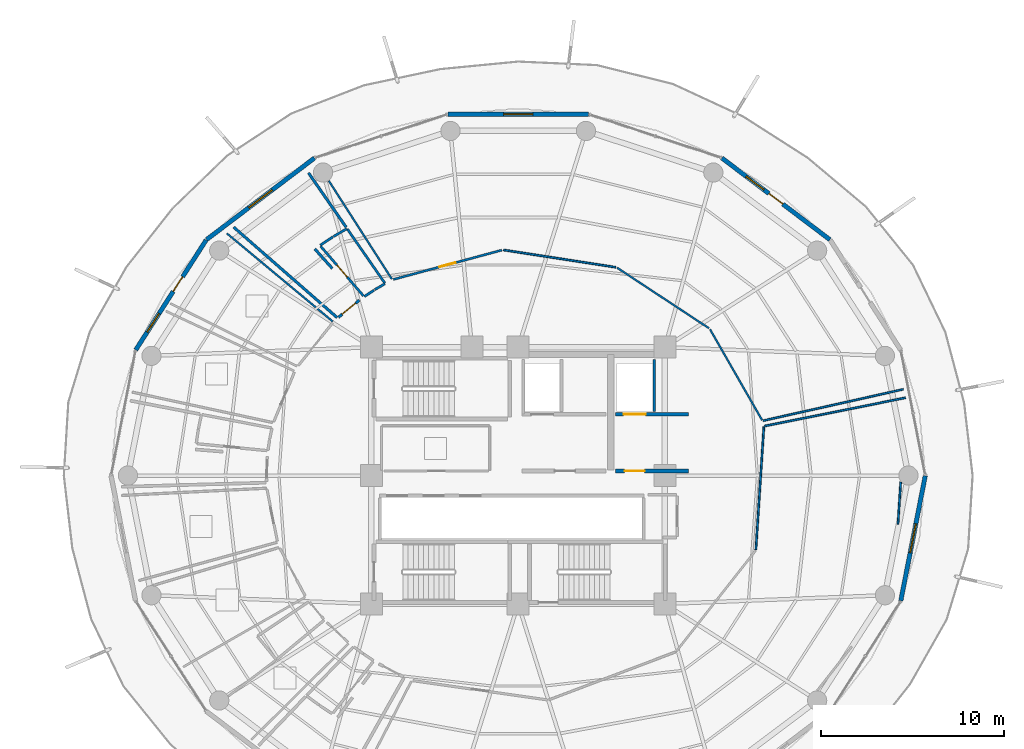
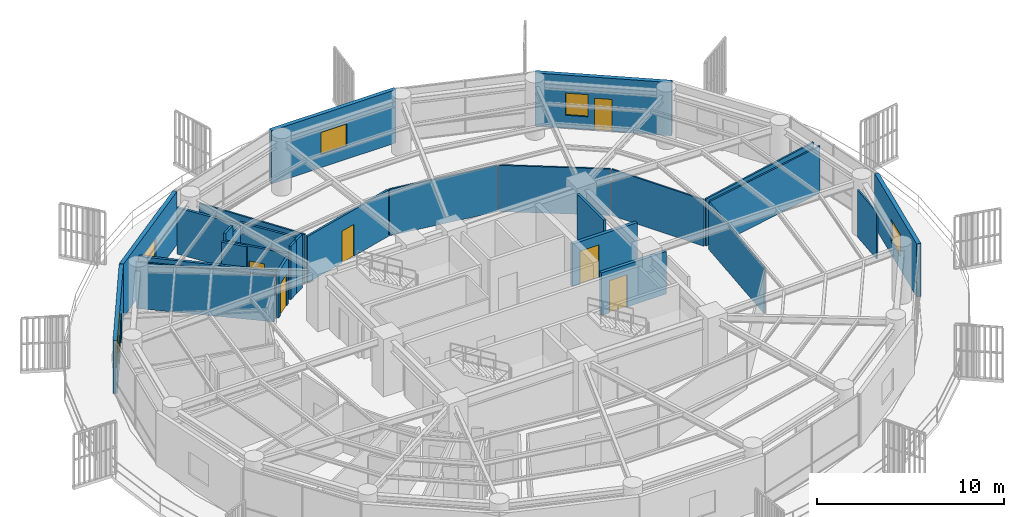
# One storey, part 25 of 30: 28 walls, 7 doors, 5 windows, 12 openings.
"""IFC4 building model written with IfcOpenShell, lengths in metres."""

from ifc_helpers import new_model, si_unit, direction, frame, frame_2d, origin, place, context, subcontext, project, spatial, rectangle, extrude, material, layer, layer_set, type_object, element, fill, save


model = new_model("IFC4")

# Units and contexts
model_context = context("Model", 3, precision=1e-05, world=origin(), true_north=direction((0.0, 1.0)))
body_context = subcontext(model_context, "Body", "Model", "MODEL_VIEW")
ifc_project = project(units=[si_unit("LENGTHUNIT", "METRE"), si_unit("AREAUNIT", "SQUARE_METRE"), si_unit("VOLUMEUNIT", "CUBIC_METRE"), si_unit("PLANEANGLEUNIT", "RADIAN"), si_unit("MASSUNIT", "GRAM", prefix="KILO")], contexts=[model_context])

# Site, building, storey
site_placement = place(None, origin())
site = spatial("IfcSite", under=ifc_project, at=site_placement, CompositionType="ELEMENT")
building_placement = place(site_placement, origin())
building = spatial("IfcBuilding", under=site, at=building_placement, Name="Kelanora Arch Commons", CompositionType="ELEMENT")
storey_placement = place(building_placement, frame((0.0, 0.0, 204.449951171875)))
storey = spatial("IfcBuildingStorey", under=building, at=storey_placement, Name="L52", CompositionType="ELEMENT", Elevation=204.449951171875)

# Wall
ifc_material_1 = material(Name="Autoclaved aerated concrete blockwork with fire plaster", Category="masonry")
ifc_layer_1 = layer(ifc_material_1, 0.14990234375)
ifc_layer_set_1 = layer_set([ifc_layer_1], Name="Autoclaved aerated concrete blockwork with fire plaster")
wall_type_1 = type_object("IfcWallType", Name="W-COMP-150", PredefinedType="PARTITIONING", material=ifc_layer_set_1)
wall_1_placement = place(storey_placement, frame((81.419921875, 61.47998046875, 0.0), z_axis=(0.0, 0.0, 1.0), x_axis=(0.0, 1.0, 0.0)))
element("IfcWall", 1, at=wall_1_placement, inside=storey, type_object=wall_type_1, Name="Firefighting Lift 2 East Shaft Wall L52", PredefinedType="PARTITIONING", context=body_context, shape_type="SweptSolid", body=[
    extrude(rectangle(XDim=2.840087890625, YDim=0.14990234375, at=frame_2d((1.419921875, 0.0))), origin(), (0.0, 0.0, 1.0), 3.47998046875),
])

# Wall, opening, door
wall_2_placement = place(storey_placement, frame((65.335693359375, 67.56103515625, 0.0), z_axis=(0.0, 0.0, 1.0), x_axis=(-0.773453544763, -0.633852990917, 0.0)))
wall_2 = element("IfcWall", 2, at=wall_2_placement, inside=storey, type_object=wall_type_1, Name="Co-Living Studio L52-01 Entry Partition", PredefinedType="PARTITIONING", context=body_context, shape_type="SweptSolid", body=[
    extrude(rectangle(XDim=1.468994140625, YDim=0.14990234375, at=frame_2d((0.734375, 0.0))), origin(), (0.0, 0.0, 1.0), 3.025146484375),
])
opening_1_placement = place(wall_2_placement, frame((0.259033203125, 0.0, 0.0)))
opening_1 = element("IfcOpeningElement", 3, at=opening_1_placement, cuts=wall_2, Name="Opening D-CLU1", PredefinedType="OPENING", context=body_context, shape_type="SweptSolid", body=[
    extrude(rectangle(XDim=0.949951171875, YDim=2.080078125, at=frame_2d((0.47509765625, 1.0400390625))), frame((0.0, 0.0849609375, 0.0), z_axis=(0.0, -1.0, 0.0), x_axis=(1.0, 0.0, 0.0)), (0.0, 0.0, 1.0), 0.169921875),
])
ifc_material_2 = material(Name="Solid-core acoustic timber cluster entry fire door", Category="wood")
door_type_1 = type_object("IfcDoorType", Name="D-CLU-95", OperationType="NOTDEFINED", PredefinedType="DOOR", material=ifc_material_2)
door_1_placement = place(opening_1_placement, origin())
door_1 = element("IfcDoor", 4, at=door_1_placement, inside=storey, type_object=door_type_1, Name="Co-Living Studio L52-01 Door", OperationType="SINGLE_SWING_LEFT", OverallHeight=2.080078125, OverallWidth=0.949951171875, PredefinedType="DOOR", context=body_context, shape_type="SweptSolid", body=[
    extrude(rectangle(XDim=0.949951171875, YDim=2.080078125, at=frame_2d((0.47509765625, 1.0400390625))), frame((0.0, 0.02490234375, 0.0), z_axis=(0.0, -1.0, 0.0), x_axis=(1.0, 0.0, 0.0)), (0.0, 0.0, 1.0), 0.050048828125),
])
fill(opening_1, door_1)

# Walls
wall_3_placement = place(storey_placement, frame((64.122802734375, 66.618408203125, 0.0), z_axis=(0.0, 0.0, 1.0), x_axis=(-0.752988337425, 0.658033862124, 0.0)))
element("IfcWall", 5, at=wall_3_placement, inside=storey, type_object=wall_type_1, Name="Co-Living Studio L52-01 Enclosure Partition 2", PredefinedType="PARTITIONING", context=body_context, shape_type="SweptSolid", body=[
    extrude(rectangle(XDim=7.4921875, YDim=0.14990234375, at=frame_2d((3.74609375, 0.0))), origin(), (0.0, 0.0, 1.0), 3.074951171875),
])
wall_4_placement = place(storey_placement, frame((62.56591796875, 74.505126953125, 0.0), z_axis=(0.0, 0.0, 1.0), x_axis=(0.569125600833, -0.822250600776, 0.0)))
element("IfcWall", 6, at=wall_4_placement, inside=storey, type_object=wall_type_1, Name="Co-Living Studio L52-01 Enclosure Partition 5", PredefinedType="PARTITIONING", context=body_context, shape_type="SweptSolid", body=[
    extrude(rectangle(XDim=3.611083984375, YDim=0.14990234375, at=frame_2d((1.8056640625, 0.0))), origin(), (0.0, 0.0, 1.0), 3.025146484375),
])
wall_5_placement = place(storey_placement, frame((62.913818359375, 70.352294921875, 0.0), z_axis=(0.0, 0.0, 1.0), x_axis=(0.667393587085, -0.744705176508, 0.0)))
element("IfcWall", 7, at=wall_5_placement, inside=storey, type_object=wall_type_1, Name="Co-Living Studio L52-01 Enclosure Partition 7", PredefinedType="PARTITIONING", context=body_context, shape_type="SweptSolid", body=[
    extrude(rectangle(XDim=1.41796875, YDim=0.14990234375, at=frame_2d((0.708984375, 0.0))), origin(), (0.0, 0.0, 1.0), 3.175048828125),
])

# Wall, openings, door, window
ifc_material_3 = material(Name="Precast concrete C40/50 upper-zone terracotta rainscreen", Category="masonry")
ifc_layer_2 = layer(ifc_material_3, 0.239990234375)
ifc_layer_set_2 = layer_set([ifc_layer_2], Name="Precast concrete C40/50 upper-zone terracotta rainscreen")
wall_type_2 = type_object("IfcWallType", Name="W-EXT-TC2", PredefinedType="SOLIDWALL", material=ifc_layer_set_2)
wall_6_placement = place(storey_placement, frame((90.994140625, 70.86474609375, 0.0), z_axis=(0.0, 0.0, 1.0), x_axis=(-0.797701674595, 0.603052268338, 0.0)))
wall_6 = element("IfcWall", 8, at=wall_6_placement, inside=storey, type_object=wall_type_2, Name="Terracotta Exterior Wall L52-B02", PredefinedType="SOLIDWALL", context=body_context, shape_type="SweptSolid", body=[
    extrude(rectangle(XDim=7.373779296875, YDim=0.239990234375, at=frame_2d((3.68701171875, 0.0))), origin(), (0.0, 0.0, 1.0), 3.47509765625),
])
opening_2_placement = place(wall_6_placement, frame((3.2119140625, 0.0, 0.0)))
opening_2 = element("IfcOpeningElement", 9, at=opening_2_placement, cuts=wall_6, Name="Opening DB-01", PredefinedType="OPENING", context=body_context, shape_type="SweptSolid", body=[
    extrude(rectangle(XDim=0.949951171875, YDim=2.10009765625, at=frame_2d((0.47509765625, 1.050048828125))), frame((0.0, 0.1298828125, 0.0), z_axis=(0.0, -1.0, 0.0), x_axis=(1.0, 0.0, 0.0)), (0.0, 0.0, 1.0), 0.260009765625),
])
opening_3_placement = place(wall_6_placement, frame((4.511962890625, 0.0, 0.85009765625)))
opening_3 = element("IfcOpeningElement", 10, at=opening_3_placement, cuts=wall_6, Name="Opening WN-02", PredefinedType="OPENING", context=body_context, shape_type="SweptSolid", body=[
    extrude(rectangle(XDim=1.199951171875, YDim=1.449951171875, at=frame_2d((0.60009765625, 0.72509765625))), frame((0.0, 0.1298828125, 0.0), z_axis=(0.0, -1.0, 0.0), x_axis=(1.0, 0.0, 0.0)), (0.0, 0.0, 1.0), 0.260009765625),
])
ifc_material_4 = material(Name="Terracotta-aluminium thermally broken glazed balcony door", Category="masonry")
door_type_2 = type_object("IfcDoorType", Name="D-BAL-10", OperationType="NOTDEFINED", PredefinedType="DOOR", material=ifc_material_4)
door_2_placement = place(opening_2_placement, frame((0.949951171875, 0.0, 0.0), z_axis=(0.0, 0.0, 1.0), x_axis=(-1.0, 0.0, 0.0)))
door_2 = element("IfcDoor", 11, at=door_2_placement, inside=storey, type_object=door_type_2, Name="Wave Balcony Door L52-B02", OperationType="SINGLE_SWING_LEFT", OverallHeight=2.10009765625, OverallWidth=0.949951171875, PredefinedType="DOOR", context=body_context, shape_type="SweptSolid", body=[
    extrude(rectangle(XDim=0.949951171875, YDim=2.10009765625, at=frame_2d((0.47509765625, 1.050048828125))), frame((0.0, 0.02490234375, 0.0), z_axis=(0.0, -1.0, 0.0), x_axis=(1.0, 0.0, 0.0)), (0.0, 0.0, 1.0), 0.050048828125),
])
fill(opening_2, door_2)
ifc_material_5 = material(Name="Terracotta-anodised aluminium frame with operable awning sash", Category="masonry")
window_type_1 = type_object("IfcWindowType", Name="WIN-CL-12", PartitioningType="SINGLE_PANEL", PredefinedType="WINDOW", material=ifc_material_5)
window_1_placement = place(opening_3_placement, origin())
window_1 = element("IfcWindow", 12, at=window_1_placement, inside=storey, type_object=window_type_1, Name="Co-Living Operable Window L52-B02", OverallHeight=1.449951171875, OverallWidth=1.199951171875, PartitioningType="SINGLE_PANEL", PredefinedType="WINDOW", context=body_context, shape_type="SweptSolid", body=[
    extrude(rectangle(XDim=1.199951171875, YDim=1.449951171875, at=frame_2d((0.60009765625, 0.72509765625))), frame((0.0, 0.030029296875, 0.0), z_axis=(0.0, -1.0, 0.0), x_axis=(1.0, 0.0, 0.0)), (0.0, 0.0, 1.0), 0.06005859375),
])
fill(opening_3, window_1)

# Wall, opening, window
wall_7_placement = place(storey_placement, frame((77.840087890625, 77.6962890625, 0.0), z_axis=(0.0, 0.0, 1.0), x_axis=(-1.0, 0.0, 0.0)))
wall_7 = element("IfcWall", 13, at=wall_7_placement, inside=storey, type_object=wall_type_2, Name="Terracotta Exterior Wall L52-B04", PredefinedType="SOLIDWALL", context=body_context, shape_type="SweptSolid", body=[
    extrude(rectangle(XDim=7.68017578125, YDim=0.239990234375, at=frame_2d((3.840087890625, 0.0))), origin(), (0.0, 0.0, 1.0), 3.47509765625),
])
opening_4_placement = place(wall_7_placement, frame((3.0400390625, 0.0, 0.85009765625)))
opening_4 = element("IfcOpeningElement", 14, at=opening_4_placement, cuts=wall_7, Name="Opening WN-01", PredefinedType="OPENING", context=body_context, shape_type="SweptSolid", body=[
    extrude(rectangle(XDim=1.60009765625, YDim=1.449951171875, at=frame_2d((0.800048828125, 0.72509765625))), frame((0.0, 0.1298828125, 0.0), z_axis=(0.0, -1.0, 0.0), x_axis=(1.0, 0.0, 0.0)), (0.0, 0.0, 1.0), 0.260009765625),
])
ifc_material_6 = material(Name="Terracotta-anodised aluminium frame with operable low-E glazing", Category="masonry")
window_type_2 = type_object("IfcWindowType", Name="WIN-CL-18", PartitioningType="DOUBLE_PANEL_VERTICAL", PredefinedType="WINDOW", material=ifc_material_6)
window_2_placement = place(opening_4_placement, origin())
window_2 = element("IfcWindow", 15, at=window_2_placement, inside=storey, type_object=window_type_2, Name="Co-Living Operable Window L52-B04", OverallHeight=1.449951171875, OverallWidth=1.60009765625, PartitioningType="SINGLE_PANEL", PredefinedType="WINDOW", context=body_context, shape_type="SweptSolid", body=[
    extrude(rectangle(XDim=1.60009765625, YDim=1.449951171875, at=frame_2d((0.800048828125, 0.72509765625))), frame((0.0, 0.030029296875, 0.0), z_axis=(0.0, -1.0, 0.0), x_axis=(1.0, 0.0, 0.0)), (0.0, 0.0, 1.0), 0.06005859375),
])
fill(opening_4, window_2)

wall_8_placement = place(storey_placement, frame((62.887939453125, 75.3115234375, 0.0), z_axis=(0.0, 0.0, 1.0), x_axis=(-0.797701674595, -0.603052268338, 0.0)))
wall_8 = element("IfcWall", 16, at=wall_8_placement, inside=storey, type_object=wall_type_2, Name="Terracotta Exterior Wall L52-B06", PredefinedType="SOLIDWALL", context=body_context, shape_type="SweptSolid", body=[
    extrude(rectangle(XDim=7.373779296875, YDim=0.239990234375, at=frame_2d((3.68701171875, 0.0))), origin(), (0.0, 0.0, 1.0), 3.47509765625),
])
opening_5_placement = place(wall_8_placement, frame((2.886962890625, 0.0, 0.85009765625)))
opening_5 = element("IfcOpeningElement", 17, at=opening_5_placement, cuts=wall_8, Name="Opening WN-01", PredefinedType="OPENING", context=body_context, shape_type="SweptSolid", body=[
    extrude(rectangle(XDim=1.60009765625, YDim=1.449951171875, at=frame_2d((0.800048828125, 0.72509765625))), frame((0.0, 0.1298828125, 0.0), z_axis=(0.0, -1.0, 0.0), x_axis=(1.0, 0.0, 0.0)), (0.0, 0.0, 1.0), 0.260009765625),
])
window_3_placement = place(opening_5_placement, origin())
window_3 = element("IfcWindow", 18, at=window_3_placement, inside=storey, type_object=window_type_2, Name="Co-Living Operable Window L52-B06", OverallHeight=1.449951171875, OverallWidth=1.60009765625, PartitioningType="SINGLE_PANEL", PredefinedType="WINDOW", context=body_context, shape_type="SweptSolid", body=[
    extrude(rectangle(XDim=1.60009765625, YDim=1.449951171875, at=frame_2d((0.800048828125, 0.72509765625))), frame((0.0, 0.030029296875, 0.0), z_axis=(0.0, -1.0, 0.0), x_axis=(1.0, 0.0, 0.0)), (0.0, 0.0, 1.0), 0.06005859375),
])
fill(opening_5, window_3)

# Wall, openings, door, window
wall_9_placement = place(storey_placement, frame((56.985595703125, 70.84326171875, 0.0), z_axis=(0.0, 0.0, 1.0), x_axis=(-0.539539512973, -0.841960280501, 0.0)))
wall_9 = element("IfcWall", 19, at=wall_9_placement, inside=storey, type_object=wall_type_2, Name="Terracotta Exterior Wall L52-B07", PredefinedType="SOLIDWALL", context=body_context, shape_type="SweptSolid", body=[
    extrude(rectangle(XDim=7.11474609375, YDim=0.239990234375, at=frame_2d((3.557373046875, 0.0))), origin(), (0.0, 0.0, 1.0), 3.47509765625),
])
opening_6_placement = place(wall_9_placement, frame((2.382080078125, 0.0, 0.0)))
opening_6 = element("IfcOpeningElement", 20, at=opening_6_placement, cuts=wall_9, Name="Opening DB-01", PredefinedType="OPENING", context=body_context, shape_type="SweptSolid", body=[
    extrude(rectangle(XDim=0.949951171875, YDim=2.10009765625, at=frame_2d((0.47509765625, 1.050048828125))), frame((0.0, 0.1298828125, 0.0), z_axis=(0.0, -1.0, 0.0), x_axis=(1.0, 0.0, 0.0)), (0.0, 0.0, 1.0), 0.260009765625),
])
opening_7_placement = place(wall_9_placement, frame((4.761962890625, 0.0, 0.85009765625)))
opening_7 = element("IfcOpeningElement", 21, at=opening_7_placement, cuts=wall_9, Name="Opening WN-02", PredefinedType="OPENING", context=body_context, shape_type="SweptSolid", body=[
    extrude(rectangle(XDim=1.199951171875, YDim=1.449951171875, at=frame_2d((0.60009765625, 0.72509765625))), frame((0.0, 0.1298828125, 0.0), z_axis=(0.0, -1.0, 0.0), x_axis=(1.0, 0.0, 0.0)), (0.0, 0.0, 1.0), 0.260009765625),
])
door_3_placement = place(opening_6_placement, frame((0.949951171875, 0.0, 0.0), z_axis=(0.0, 0.0, 1.0), x_axis=(-1.0, 0.0, 0.0)))
door_3 = element("IfcDoor", 22, at=door_3_placement, inside=storey, type_object=door_type_2, Name="Wave Balcony Door L52-B07", OperationType="SINGLE_SWING_RIGHT", OverallHeight=2.10009765625, OverallWidth=0.949951171875, PredefinedType="DOOR", context=body_context, shape_type="SweptSolid", body=[
    extrude(rectangle(XDim=0.949951171875, YDim=2.10009765625, at=frame_2d((0.47509765625, 1.050048828125))), frame((0.0, 0.02490234375, 0.0), z_axis=(0.0, -1.0, 0.0), x_axis=(1.0, 0.0, 0.0)), (0.0, 0.0, 1.0), 0.050048828125),
])
fill(opening_6, door_3)
window_4_placement = place(opening_7_placement, origin())
window_4 = element("IfcWindow", 23, at=window_4_placement, inside=storey, type_object=window_type_1, Name="Co-Living Operable Window L52-B07", OverallHeight=1.449951171875, OverallWidth=1.199951171875, PartitioningType="SINGLE_PANEL", PredefinedType="WINDOW", context=body_context, shape_type="SweptSolid", body=[
    extrude(rectangle(XDim=1.199951171875, YDim=1.449951171875, at=frame_2d((0.60009765625, 0.72509765625))), frame((0.0, 0.030029296875, 0.0), z_axis=(0.0, -1.0, 0.0), x_axis=(1.0, 0.0, 0.0)), (0.0, 0.0, 1.0), 0.06005859375),
])
fill(opening_7, window_4)

# Wall, opening, window
wall_10_placement = place(storey_placement, frame((94.864013671875, 51.17431640625, 0.0), z_axis=(0.0, 0.0, 1.0), x_axis=(0.192069055673, 0.981381413036, 0.0)))
wall_10 = element("IfcWall", 24, at=wall_10_placement, inside=storey, type_object=wall_type_2, Name="Terracotta Exterior Wall L52-B17", PredefinedType="SOLIDWALL", context=body_context, shape_type="SweptSolid", body=[
    extrude(rectangle(XDim=6.940185546875, YDim=0.239990234375, at=frame_2d((3.47021484375, 0.0))), origin(), (0.0, 0.0, 1.0), 3.47509765625),
])
opening_8_placement = place(wall_10_placement, frame((2.669921875, 0.0, 0.85009765625)))
opening_8 = element("IfcOpeningElement", 25, at=opening_8_placement, cuts=wall_10, Name="Opening WN-01", PredefinedType="OPENING", context=body_context, shape_type="SweptSolid", body=[
    extrude(rectangle(XDim=1.60009765625, YDim=1.449951171875, at=frame_2d((0.800048828125, 0.72509765625))), frame((0.0, 0.1298828125, 0.0), z_axis=(0.0, -1.0, 0.0), x_axis=(1.0, 0.0, 0.0)), (0.0, 0.0, 1.0), 0.260009765625),
])
window_5_placement = place(opening_8_placement, origin())
window_5 = element("IfcWindow", 26, at=window_5_placement, inside=storey, type_object=window_type_2, Name="Co-Living Operable Window L52-B17", OverallHeight=1.449951171875, OverallWidth=1.60009765625, PartitioningType="SINGLE_PANEL", PredefinedType="WINDOW", context=body_context, shape_type="SweptSolid", body=[
    extrude(rectangle(XDim=1.60009765625, YDim=1.449951171875, at=frame_2d((0.800048828125, 0.72509765625))), frame((0.0, 0.030029296875, 0.0), z_axis=(0.0, -1.0, 0.0), x_axis=(1.0, 0.0, 0.0)), (0.0, 0.0, 1.0), 0.06005859375),
])
fill(opening_8, window_5)

# Wall, opening, door
ifc_material_7 = material(Name="Concrete C40/50", Category="concrete")
ifc_layer_3 = layer(ifc_material_7, 0.199951171875)
ifc_layer_set_3 = layer_set([ifc_layer_3], Name="Concrete C40/50")
wall_type_3 = type_object("IfcWallType", Name="W-FFL-200", PredefinedType="SOLIDWALL", material=ifc_layer_set_3)
wall_11_placement = place(storey_placement, frame((79.300048828125, 61.35009765625, 0.0), z_axis=(0.0, 0.0, 1.0), x_axis=(1.0, 0.0, 0.0)))
wall_11 = element("IfcWall", 27, at=wall_11_placement, inside=storey, type_object=wall_type_3, Name="Firefighting Lift 2 Shaft Front L52", PredefinedType="SOLIDWALL", context=body_context, shape_type="SweptSolid", body=[
    extrude(rectangle(XDim=4.0, YDim=0.199951171875, at=frame_2d((2.0, 0.0))), origin(), (0.0, 0.0, 1.0), 2.775146484375),
])
opening_9_placement = place(wall_11_placement, frame((0.449951171875, 0.0, 0.0)))
opening_9 = element("IfcOpeningElement", 28, at=opening_9_placement, cuts=wall_11, Name="Opening LD-FF", PredefinedType="OPENING", context=body_context, shape_type="SweptSolid", body=[
    extrude(rectangle(XDim=1.199951171875, YDim=2.14990234375, at=frame_2d((0.60009765625, 1.074951171875))), frame((0.0, 0.10986328125, 0.0), z_axis=(0.0, -1.0, 0.0), x_axis=(1.0, 0.0, 0.0)), (0.0, 0.0, 1.0), 0.219970703125),
])
ifc_material_8 = material(Name="Fire-rated firefighters lift sliding landing door")
door_type_3 = type_object("IfcDoorType", Name="D-LIFT-FF", OperationType="NOTDEFINED", PredefinedType="DOOR", material=ifc_material_8)
door_4_placement = place(opening_9_placement, origin())
door_4 = element("IfcDoor", 29, at=door_4_placement, inside=storey, type_object=door_type_3, Name="Firefighting Lift LF-FF2 Landing Door L52", OperationType="DOUBLE_DOOR_SLIDING", OverallHeight=2.14990234375, OverallWidth=1.199951171875, PredefinedType="DOOR", context=body_context, shape_type="SweptSolid", body=[
    extrude(rectangle(XDim=1.199951171875, YDim=2.14990234375, at=frame_2d((0.60009765625, 1.074951171875))), frame((0.0, 0.02490234375, 0.0), z_axis=(0.0, -1.0, 0.0), x_axis=(1.0, 0.0, 0.0)), (0.0, 0.0, 1.0), 0.050048828125),
])
fill(opening_9, door_4)

wall_12_placement = place(storey_placement, frame((79.300048828125, 58.25, 0.0), z_axis=(0.0, 0.0, 1.0), x_axis=(1.0, 0.0, 0.0)))
wall_12 = element("IfcWall", 30, at=wall_12_placement, inside=storey, type_object=wall_type_3, Name="Firefighting Lobby 2 Enclosure Wall L52", PredefinedType="SOLIDWALL", context=body_context, shape_type="SweptSolid", body=[
    extrude(rectangle(XDim=4.0, YDim=0.199951171875, at=frame_2d((2.0, 0.0))), origin(), (0.0, 0.0, 1.0), 2.775146484375),
])
opening_10_placement = place(wall_12_placement, frame((0.5, 0.0, 0.0)))
opening_10 = element("IfcOpeningElement", 31, at=opening_10_placement, cuts=wall_12, Name="Opening D-FFL1", PredefinedType="OPENING", context=body_context, shape_type="SweptSolid", body=[
    extrude(rectangle(XDim=1.10009765625, YDim=2.10009765625, at=frame_2d((0.550048828125, 1.050048828125))), frame((0.0, 0.10986328125, 0.0), z_axis=(0.0, -1.0, 0.0), x_axis=(1.0, 0.0, 0.0)), (0.0, 0.0, 1.0), 0.219970703125),
])
ifc_material_9 = material(Name="Smoke-sealed firefighting lobby fire door")
door_type_4 = type_object("IfcDoorType", Name="D-FFL-110", OperationType="NOTDEFINED", PredefinedType="DOOR", material=ifc_material_9)
door_5_placement = place(opening_10_placement, frame((1.10009765625, 0.0, 0.0), z_axis=(0.0, 0.0, 1.0), x_axis=(-1.0, 0.0, 0.0)))
door_5 = element("IfcDoor", 32, at=door_5_placement, inside=storey, type_object=door_type_4, Name="Firefighting Lobby 2 Door L52", OperationType="SINGLE_SWING_RIGHT", OverallHeight=2.10009765625, OverallWidth=1.10009765625, PredefinedType="DOOR", context=body_context, shape_type="SweptSolid", body=[
    extrude(rectangle(XDim=1.10009765625, YDim=2.10009765625, at=frame_2d((0.550048828125, 1.050048828125))), frame((0.0, 0.02490234375, 0.0), z_axis=(0.0, -1.0, 0.0), x_axis=(1.0, 0.0, 0.0)), (0.0, 0.0, 1.0), 0.050048828125),
])
fill(opening_10, door_5)

# Walls
ifc_material_10 = material(Name="Lightweight fire-rated acoustic stud partition")
ifc_layer_4 = layer(ifc_material_10, 0.10009765625)
ifc_layer_set_4 = layer_set([ifc_layer_4], Name="Lightweight fire-rated acoustic stud partition")
wall_type_4 = type_object("IfcWallType", Name="W-PART-100", PredefinedType="PARTITIONING", material=ifc_layer_set_4)
wall_13_placement = place(storey_placement, frame((86.960693359375, 53.96484375, 0.0), z_axis=(0.0, 0.0, 1.0), x_axis=(0.065048371975, 0.997882111927, 0.0)))
element("IfcWall", 33, at=wall_13_placement, inside=storey, type_object=wall_type_4, Name="South-East Social Sky Lounge L52 Enclosure Partition 4", PredefinedType="PARTITIONING", context=body_context, shape_type="SweptSolid", body=[
    extrude(rectangle(XDim=6.699462890625, YDim=0.10009765625, at=frame_2d((3.349609375, 0.0))), origin(), (0.0, 0.0, 1.0), 3.025146484375),
])
wall_14_placement = place(storey_placement, frame((87.438232421875, 60.697998046875, 0.0), z_axis=(0.0, 0.0, 1.0), x_axis=(0.980406493711, 0.196985042808, 0.0)))
element("IfcWall", 34, at=wall_14_placement, inside=storey, type_object=wall_type_4, Name="South-East Social Sky Lounge L52 Enclosure Partition 5", PredefinedType="PARTITIONING", context=body_context, shape_type="SweptSolid", body=[
    extrude(rectangle(XDim=7.834228515625, YDim=0.10009765625, at=frame_2d((3.9169921875, 0.0))), origin(), (0.0, 0.0, 1.0), 3.074951171875),
])
wall_15_placement = place(storey_placement, frame((94.8583984375, 57.64697265625, 0.0), z_axis=(0.0, 0.0, 1.0), x_axis=(-0.065005679068, -0.997884894008, 0.0)))
element("IfcWall", 35, at=wall_15_placement, inside=storey, type_object=wall_type_4, Name="South-East Social Sky Lounge L52 Enclosure Partition 6", PredefinedType="PARTITIONING", context=body_context, shape_type="SweptSolid", body=[
    extrude(rectangle(XDim=2.30224609375, YDim=0.10009765625, at=frame_2d((1.151123046875, 0.0))), origin(), (0.0, 0.0, 1.0), 3.074951171875),
])
wall_16_placement = place(storey_placement, frame((87.302001953125, 61.017578125, 0.0), z_axis=(0.0, 0.0, 1.0), x_axis=(-0.497477595841, 0.867476824841, 0.0)))
element("IfcWall", 36, at=wall_16_placement, inside=storey, type_object=wall_type_4, Name="North-East Quiet Study Commons L52 Enclosure Partition 1", PredefinedType="PARTITIONING", context=body_context, shape_type="SweptSolid", body=[
    extrude(rectangle(XDim=5.712890625, YDim=0.10009765625, at=frame_2d((2.8564453125, 0.0))), origin(), (0.0, 0.0, 1.0), 3.025146484375),
])
wall_17_placement = place(storey_placement, frame((84.406494140625, 66.030029296875, 0.0), z_axis=(0.0, 0.0, 1.0), x_axis=(-0.835181355892, 0.549974638297, 0.0)))
element("IfcWall", 37, at=wall_17_placement, inside=storey, type_object=wall_type_4, Name="North-East Quiet Study Commons L52 Enclosure Partition 2", PredefinedType="PARTITIONING", context=body_context, shape_type="SweptSolid", body=[
    extrude(rectangle(XDim=5.996337890625, YDim=0.10009765625, at=frame_2d((2.998046875, 0.0))), origin(), (0.0, 0.0, 1.0), 3.025146484375),
])
wall_18_placement = place(storey_placement, frame((79.325439453125, 69.356201171875, 0.0), z_axis=(0.0, 0.0, 1.0), x_axis=(-0.988312865281, 0.152439103643, 0.0)))
element("IfcWall", 38, at=wall_18_placement, inside=storey, type_object=wall_type_4, Name="North-East Quiet Study Commons L52 Enclosure Partition 3", PredefinedType="PARTITIONING", context=body_context, shape_type="SweptSolid", body=[
    extrude(rectangle(XDim=6.196533203125, YDim=0.10009765625, at=frame_2d((3.09814453125, 0.0))), origin(), (0.0, 0.0, 1.0), 3.025146484375),
])
wall_19_placement = place(storey_placement, frame((67.11328125, 68.711669921875, 0.0), z_axis=(0.0, 0.0, 1.0), x_axis=(-0.540224697902, 0.841520811256, 0.0)))
element("IfcWall", 39, at=wall_19_placement, inside=storey, type_object=wall_type_4, Name="North-East Quiet Study Commons L52 Enclosure Partition 5", PredefinedType="PARTITIONING", context=body_context, shape_type="SweptSolid", body=[
    extrude(rectangle(XDim=6.368896484375, YDim=0.10009765625, at=frame_2d((3.1845703125, 0.0))), origin(), (0.0, 0.0, 1.0), 3.175048828125),
])
wall_20_placement = place(storey_placement, frame((94.9970703125, 62.7041015625, 0.0), z_axis=(0.0, 0.0, 1.0), x_axis=(-0.975765349452, -0.218819521088, 0.0)))
element("IfcWall", 40, at=wall_20_placement, inside=storey, type_object=wall_type_4, Name="North-East Quiet Study Commons L52 Enclosure Partition 10", PredefinedType="PARTITIONING", context=body_context, shape_type="SweptSolid", body=[
    extrude(rectangle(XDim=7.82568359375, YDim=0.10009765625, at=frame_2d((3.912841796875, 0.0))), origin(), (0.0, 0.0, 1.0), 3.074951171875),
])
wall_21_placement = place(storey_placement, frame((58.11669921875, 71.203369140625, 0.0), z_axis=(0.0, 0.0, 1.0), x_axis=(0.768764498043, -0.63953197461, 0.0)))
element("IfcWall", 41, at=wall_21_placement, inside=storey, type_object=wall_type_4, Name="Social Sky Lounge L52-02 Enclosure Partition 4", PredefinedType="PARTITIONING", context=body_context, shape_type="SweptSolid", body=[
    extrude(rectangle(XDim=7.51123046875, YDim=0.10009765625, at=frame_2d((3.755615234375, 0.0))), origin(), (0.0, 0.0, 1.0), 3.025146484375),
])

# Wall, opening, door
ifc_material_11 = material(Name="Acoustic twin-stud fire-rated gypsum partition")
ifc_layer_5 = layer(ifc_material_11, 0.1201171875)
ifc_layer_set_5 = layer_set([ifc_layer_5], Name="Acoustic twin-stud fire-rated gypsum partition")
wall_type_5 = type_object("IfcWallType", Name="W-PART-120", PredefinedType="PARTITIONING", material=ifc_layer_set_5)
wall_22_placement = place(storey_placement, frame((73.10400390625, 70.291259765625, 0.0), z_axis=(0.0, 0.0, 1.0), x_axis=(-0.965361221657, -0.260917059083, 0.0)))
wall_22 = element("IfcWall", 42, at=wall_22_placement, inside=storey, type_object=wall_type_5, Name="North-East Quiet Study Commons L52 Entry Partition", PredefinedType="PARTITIONING", context=body_context, shape_type="SweptSolid", body=[
    extrude(rectangle(XDim=6.123291015625, YDim=0.1201171875, at=frame_2d((3.0615234375, 0.0))), origin(), (0.0, 0.0, 1.0), 3.025146484375),
])
opening_11_placement = place(wall_22_placement, frame((2.612060546875, 0.0, 0.0)))
opening_11 = element("IfcOpeningElement", 43, at=opening_11_placement, cuts=wall_22, Name="Opening D-RM1", PredefinedType="OPENING", context=body_context, shape_type="SweptSolid", body=[
    extrude(rectangle(XDim=0.89990234375, YDim=2.080078125, at=frame_2d((0.449951171875, 1.0400390625))), frame((0.0, 0.070068359375, 0.0), z_axis=(0.0, -1.0, 0.0), x_axis=(1.0, 0.0, 0.0)), (0.0, 0.0, 1.0), 0.14013671875),
])
ifc_material_12 = material(Name="Acoustic fire-rated timber study and lounge door", Category="wood")
door_type_5 = type_object("IfcDoorType", Name="D-ROOM-90", OperationType="NOTDEFINED", PredefinedType="DOOR", material=ifc_material_12)
door_6_placement = place(opening_11_placement, origin())
door_6 = element("IfcDoor", 44, at=door_6_placement, inside=storey, type_object=door_type_5, Name="North-East Quiet Study Commons L52 Door", OperationType="SINGLE_SWING_LEFT", OverallHeight=2.080078125, OverallWidth=0.89990234375, PredefinedType="DOOR", context=body_context, shape_type="SweptSolid", body=[
    extrude(rectangle(XDim=0.89990234375, YDim=2.080078125, at=frame_2d((0.449951171875, 1.0400390625))), frame((0.0, 0.02490234375, 0.0), z_axis=(0.0, -1.0, 0.0), x_axis=(1.0, 0.0, 0.0)), (0.0, 0.0, 1.0), 0.050048828125),
])
fill(opening_11, door_6)

ifc_material_13 = material(Name="Moisture-resistant fire-rated cement-board plumbing wall")
ifc_layer_6 = layer(ifc_material_13, 0.1298828125)
ifc_layer_set_6 = layer_set([ifc_layer_6], Name="Moisture-resistant fire-rated cement-board plumbing wall")
wall_type_6 = type_object("IfcWallType", Name="W-WET-120", PredefinedType="PLUMBINGWALL", material=ifc_layer_set_6)
wall_23_placement = place(storey_placement, frame((65.559814453125, 67.797607421875, 0.0), z_axis=(0.0, 0.0, 1.0), x_axis=(-0.652591857515, 0.757709619515, 0.0)))
wall_23 = element("IfcWall", 45, at=wall_23_placement, inside=storey, type_object=wall_type_6, Name="En-Suite Shower WC L52-01 Entry Partition", PredefinedType="PLUMBINGWALL", context=body_context, shape_type="SweptSolid", body=[
    extrude(rectangle(XDim=3.56982421875, YDim=0.1298828125, at=frame_2d((1.784912109375, 0.0))), origin(), (0.0, 0.0, 1.0), 3.025146484375),
])
opening_12_placement = place(wall_23_placement, frame((1.35498046875, 0.0, 0.0)))
opening_12 = element("IfcOpeningElement", 46, at=opening_12_placement, cuts=wall_23, Name="Opening D-BT1", PredefinedType="OPENING", context=body_context, shape_type="SweptSolid", body=[
    extrude(rectangle(XDim=0.860107421875, YDim=2.050048828125, at=frame_2d((0.43017578125, 1.02490234375))), frame((0.0, 0.074951171875, 0.0), z_axis=(0.0, -1.0, 0.0), x_axis=(1.0, 0.0, 0.0)), (0.0, 0.0, 1.0), 0.14990234375),
])
ifc_material_14 = material(Name="Moisture-sealed fire-rated accessible bathroom door")
door_type_6 = type_object("IfcDoorType", Name="D-BATH-85", OperationType="NOTDEFINED", PredefinedType="DOOR", material=ifc_material_14)
door_7_placement = place(opening_12_placement, origin())
door_7 = element("IfcDoor", 47, at=door_7_placement, inside=storey, type_object=door_type_6, Name="En-Suite Shower WC L52-01 Door", OperationType="SINGLE_SWING_RIGHT", OverallHeight=2.050048828125, OverallWidth=0.860107421875, PredefinedType="DOOR", context=body_context, shape_type="SweptSolid", body=[
    extrude(rectangle(XDim=0.860107421875, YDim=2.050048828125, at=frame_2d((0.43017578125, 1.02490234375))), frame((0.0, 0.02490234375, 0.0), z_axis=(0.0, -1.0, 0.0), x_axis=(1.0, 0.0, 0.0)), (0.0, 0.0, 1.0), 0.050048828125),
])
fill(opening_12, door_7)

# Walls
wall_24_placement = place(storey_placement, frame((66.727783203125, 68.457763671875, 0.0), z_axis=(0.0, 0.0, 1.0), x_axis=(-0.861116863464, -0.508407068655, 0.0)))
element("IfcWall", 48, at=wall_24_placement, inside=storey, type_object=wall_type_6, Name="En-Suite Shower WC L52-01 Enclosure Partition 1", PredefinedType="PLUMBINGWALL", context=body_context, shape_type="SweptSolid", body=[
    extrude(rectangle(XDim=0.63818359375, YDim=0.1298828125, at=frame_2d((0.319091796875, 0.0))), origin(), (0.0, 0.0, 1.0), 3.47998046875),
])
wall_25_placement = place(storey_placement, frame((66.144287109375, 68.112060546875, 0.0), z_axis=(0.0, 0.0, 1.0), x_axis=(-0.834414447473, -0.551137487246, 0.0)))
element("IfcWall", 49, at=wall_25_placement, inside=storey, type_object=wall_type_6, Name="En-Suite Shower WC L52-01 Enclosure Partition 2", PredefinedType="PLUMBINGWALL", context=body_context, shape_type="SweptSolid", body=[
    extrude(rectangle(XDim=0.633544921875, YDim=0.1298828125, at=frame_2d((0.31689453125, 0.0))), origin(), (0.0, 0.0, 1.0), 3.47998046875),
])
wall_26_placement = place(storey_placement, frame((63.207763671875, 70.55908203125, 0.0), z_axis=(0.0, 0.0, 1.0), x_axis=(0.835081531493, 0.550126199848, 0.0)))
element("IfcWall", 50, at=wall_26_placement, inside=storey, type_object=wall_type_6, Name="En-Suite Shower WC L52-01 Enclosure Partition 4", PredefinedType="PLUMBINGWALL", context=body_context, shape_type="SweptSolid", body=[
    extrude(rectangle(XDim=0.82666015625, YDim=0.1298828125, at=frame_2d((0.413330078125, 0.0))), origin(), (0.0, 0.0, 1.0), 3.47998046875),
])
wall_27_placement = place(storey_placement, frame((63.93212890625, 71.03515625, 0.0), z_axis=(0.0, 0.0, 1.0), x_axis=(0.860534659753, 0.509391891734, 0.0)))
element("IfcWall", 51, at=wall_27_placement, inside=storey, type_object=wall_type_6, Name="En-Suite Shower WC L52-01 Enclosure Partition 5", PredefinedType="PLUMBINGWALL", context=body_context, shape_type="SweptSolid", body=[
    extrude(rectangle(XDim=0.83154296875, YDim=0.1298828125, at=frame_2d((0.415771484375, 0.0))), origin(), (0.0, 0.0, 1.0), 3.025146484375),
])
wall_28_placement = place(storey_placement, frame((64.676513671875, 71.45263671875, 0.0), z_axis=(0.0, 0.0, 1.0), x_axis=(0.569617686403, -0.821909782967, 0.0)))
element("IfcWall", 52, at=wall_28_placement, inside=storey, type_object=wall_type_6, Name="En-Suite Shower WC L52-01 Enclosure Partition 6", PredefinedType="PLUMBINGWALL", context=body_context, shape_type="SweptSolid", body=[
    extrude(rectangle(XDim=3.611328125, YDim=0.1298828125, at=frame_2d((1.8056640625, 0.0))), origin(), (0.0, 0.0, 1.0), 3.175048828125),
])

save(model, "model.ifc")
